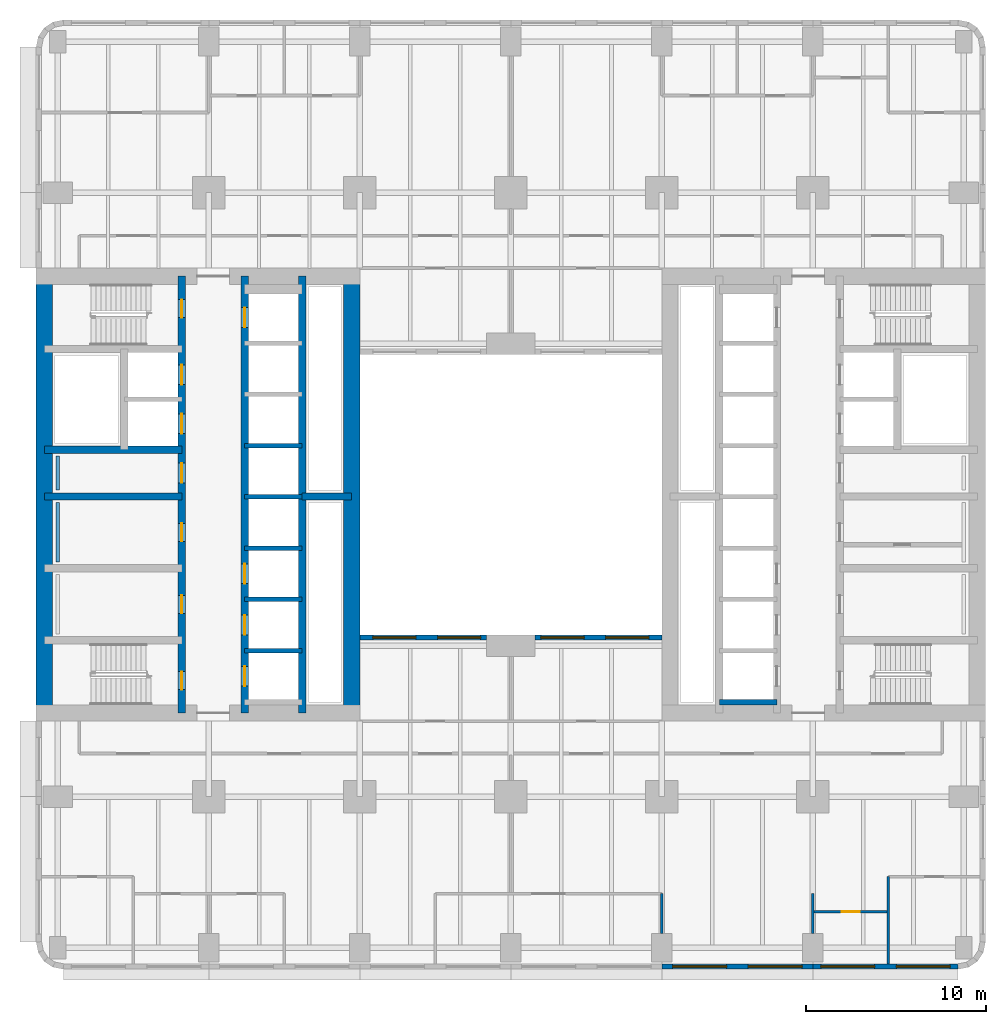
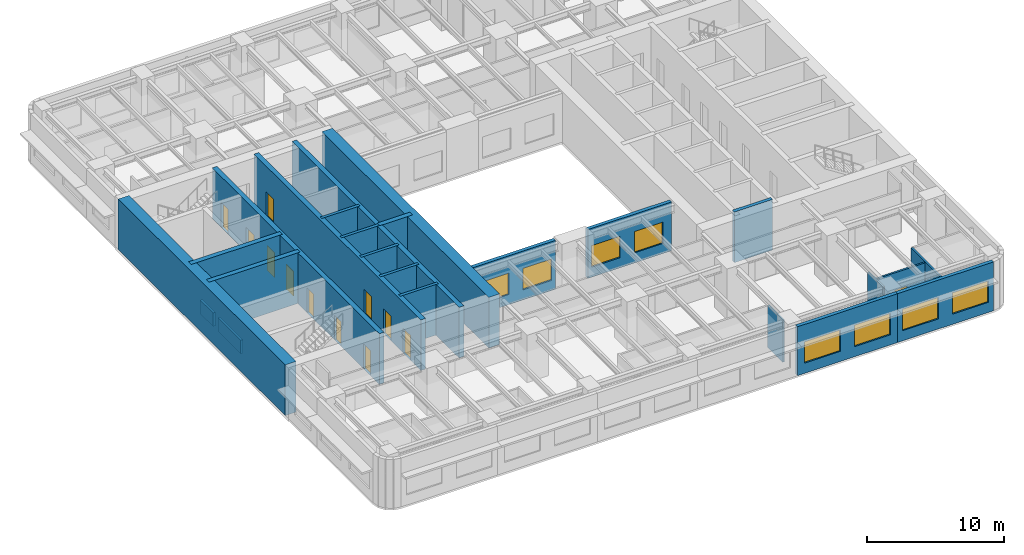
# One storey, part 4 of 12: 24 walls, 12 doors, 8 windows, 20 openings.
"""IFC4 building model written with IfcOpenShell, lengths in metres."""

import ifcopenshell
import ifcopenshell.guid

model = None  # the IFC model being written
_history = None  # IfcOwnerHistory: only IFC2X3 demands one
_inside = {}  # id of a spatial element -> (the spatial element, [elements in it])
_under = {}  # id of a project, library or spatial element -> (it, [spatial elements below it])
_declared = {}  # id of a project -> (the project, [libraries it declares])
_typed = {}  # id of a type object -> (the type object, [elements of that type])
_made_of = {}  # id of a material, layer set ... -> (it, [elements and type objects made of it])


def new_model(schema):
    """Start an empty IFC model of exactly this schema.

    Asked for "IFC4X3", IfcOpenShell would pick the latest addendum, in which some entities
    have other attributes; the version numbers below select the first issue.
    IFC2X3 requires an IfcOwnerHistory on every rooted entity: one is made here for all.
    """
    global model, _history
    if schema == "IFC4X3":
        model = ifcopenshell.file(schema_version=(4, 3, 0, 0))
    else:
        model = ifcopenshell.file(schema=schema)
    _inside.clear()
    _under.clear()
    _declared.clear()
    _typed.clear()
    _made_of.clear()
    _history = None
    if model.schema == "IFC2X3":
        org = make("IfcOrganization", Name="unknown")
        user = make(
            "IfcPersonAndOrganization",
            ThePerson=make("IfcPerson", FamilyName="unknown"),
            TheOrganization=org,
        )
        app = make(
            "IfcApplication",
            ApplicationDeveloper=org,
            Version="unknown",
            ApplicationFullName="unknown",
            ApplicationIdentifier="unknown",
        )
        _history = make(
            "IfcOwnerHistory",
            OwningUser=user,
            OwningApplication=app,
            ChangeAction="ADDED",
            CreationDate=0,
        )
    return model


def make(cls, **values):
    """One entity of the class cls with the attributes given. An attribute that is None is left unset."""
    return model.create_entity(
        cls, **{name: value for name, value in values.items() if value is not None}
    )


def rooted(cls, **values):
    """An entity with a GlobalId (a new one), such as an element, a storey or a relation."""
    return make(cls, GlobalId=ifcopenshell.guid.new(), OwnerHistory=_history, **values)


def si_unit(unit_type, name, prefix=None):
    """IfcSIUnit, for example si_unit("LENGTHUNIT", "METRE", prefix="MILLI")."""
    return make("IfcSIUnit", UnitType=unit_type, Prefix=prefix, Name=name)


def assignment(units):
    """IfcUnitAssignment: the units of a project."""
    return None if units is None else make("IfcUnitAssignment", Units=units)


def point(xyz):
    """IfcCartesianPoint."""
    return None if xyz is None else make("IfcCartesianPoint", Coordinates=xyz)


def direction(xyz):
    """IfcDirection."""
    return None if xyz is None else make("IfcDirection", DirectionRatios=xyz)


def frame(location, z_axis=None, x_axis=None):
    """IfcAxis2Placement3D, a coordinate frame: its origin and axes. An axis left out is left unset."""
    return make(
        "IfcAxis2Placement3D",
        Location=point(location),
        Axis=direction(z_axis),
        RefDirection=direction(x_axis),
    )


def frame_2d(location, x_axis=None):
    """IfcAxis2Placement2D, a coordinate frame in the plane: its origin and x axis."""
    return make(
        "IfcAxis2Placement2D", Location=point(location), RefDirection=direction(x_axis)
    )


def origin():
    """The frame at (0, 0, 0) with its axes left unset."""
    return frame((0.0, 0.0, 0.0))


def place(relative_to, where):
    """IfcLocalPlacement: puts the frame where relative to a parent placement (None: the world)."""
    return make(
        "IfcLocalPlacement", PlacementRelTo=relative_to, RelativePlacement=where
    )


def context(
    kind, dimensions, precision=None, world=None, true_north=None, identifier=None
):
    """IfcGeometricRepresentationContext, for example the 3D "Model" context."""
    return make(
        "IfcGeometricRepresentationContext",
        ContextIdentifier=identifier,
        ContextType=kind,
        CoordinateSpaceDimension=dimensions,
        Precision=precision,
        WorldCoordinateSystem=world,
        TrueNorth=true_north,
    )


def subcontext(parent, identifier, kind, view, scale=None):
    """IfcGeometricRepresentationSubContext, for example "Body" below "Model"."""
    return make(
        "IfcGeometricRepresentationSubContext",
        ContextIdentifier=identifier,
        ContextType=kind,
        ParentContext=parent,
        TargetScale=scale,
        TargetView=view,
    )


def project(units=None, contexts=None):
    """IfcProject with its units and contexts."""
    return rooted(
        "IfcProject",
        Name="project",
        RepresentationContexts=contexts,
        UnitsInContext=assignment(units),
    )


def spatial(cls, under=None, at=None, **own):
    """A site, building, storey or space (cls), placed at a placement, below another one or the project."""
    s = rooted(cls, ObjectPlacement=at, **own)
    if under is not None:
        _under.setdefault(under.id(), (under, []))[1].append(s)
    return s


def profile(cls, at=None, kind="AREA", **sizes):
    """A parametric profile (cls). Its sizes go by their IFC names, for example OverallWidth=200.0."""
    return make(cls, ProfileType=kind, Position=at, **sizes)


def rectangle(**sizes):
    """IfcRectangleProfileDef."""
    return profile("IfcRectangleProfileDef", **sizes)


def extrude(swept, where, along, depth):
    """IfcExtrudedAreaSolid: the profile swept, set in the frame where, extruded along a direction by depth."""
    return make(
        "IfcExtrudedAreaSolid",
        SweptArea=swept,
        Position=where,
        ExtrudedDirection=direction(along),
        Depth=depth,
    )


def shape(context_of_items, identifier, shape_type, items):
    """IfcShapeRepresentation: the items that make up one representation, for example the "Body"."""
    return make(
        "IfcShapeRepresentation",
        ContextOfItems=context_of_items,
        RepresentationIdentifier=identifier,
        RepresentationType=shape_type,
        Items=items,
    )


def material(Name=None, Category=None):
    """IfcMaterial."""
    return make("IfcMaterial", Name=Name, Category=Category)


def layer(
    of_material, thickness, ventilated=None, Name=None, Category=None, Priority=None
):
    """IfcMaterialLayer: one layer of a wall or slab, of a material (None: an air gap)."""
    return make(
        "IfcMaterialLayer",
        Material=of_material,
        LayerThickness=thickness,
        IsVentilated=ventilated,
        Name=Name,
        Category=Category,
        Priority=Priority,
    )


def layer_set(layers, Name=None):
    """IfcMaterialLayerSet."""
    return make("IfcMaterialLayerSet", MaterialLayers=layers, LayerSetName=Name)


def made_of(thing, what):
    """Note that an element or type object is made of a material, layer set ...; save() writes the relation."""
    if what is not None:
        _made_of.setdefault(what.id(), (what, []))[1].append(thing)
    return thing


def type_object(cls, material=None, **own):
    """A type object (cls), such as IfcWallType, which elements share."""
    return made_of(rooted(cls, **own), material)


def element(
    cls,
    number,
    at=None,
    inside=None,
    cuts=None,
    type_object=None,
    material=None,
    context=None,
    identifier="Body",
    shape_type=None,
    held_by="IfcProductDefinitionShape",
    body=None,
    shapes=None,
    **own,
):
    """One element of the class cls, such as IfcWall. Its Tag is "e" and its number.

    at: its placement. inside: the storey or other place that contains it. cuts: it is an
    opening in that element (IfcRelVoidsElement). A single representation is given by context,
    identifier, shape_type and body (its items); several are given by shapes. held_by: the class
    of the entity that holds the representations. save() writes the other relations.
    """
    e = rooted(cls, Tag="e%d" % number, ObjectPlacement=at, **own)
    if body is not None:
        shapes = [shape(context, identifier, shape_type, body)]
    if shapes is not None:
        e.Representation = make(held_by, Representations=shapes)
    if inside is not None:
        _inside.setdefault(inside.id(), (inside, []))[1].append(e)
    if cuts is not None:
        rooted(
            "IfcRelVoidsElement", RelatingBuildingElement=cuts, RelatedOpeningElement=e
        )
    if type_object is not None:
        _typed.setdefault(type_object.id(), (type_object, []))[1].append(e)
    return made_of(e, material)


def fill(opening, filler):
    """IfcRelFillsElement: the door or window that sits in an opening."""
    return rooted(
        "IfcRelFillsElement",
        RelatingOpeningElement=opening,
        RelatedBuildingElement=filler,
    )


def aggregate(whole, parts):
    """IfcRelAggregates: a whole, such as a stair, and the parts it consists of."""
    return rooted("IfcRelAggregates", RelatingObject=whole, RelatedObjects=parts)


def save(model, path):
    """Write the relations noted so far, then the file.

    IfcRelAggregates (storeys below a building ...), IfcRelContainedInSpatialStructure (elements
    in a storey), IfcRelDefinesByType, IfcRelAssociatesMaterial and IfcRelDeclares: one each for
    every whole, place, type object, material and project.
    """
    for whole, parts in _under.values():
        aggregate(whole, parts)
    for where, things in _inside.values():
        rooted(
            "IfcRelContainedInSpatialStructure",
            RelatedElements=things,
            RelatingStructure=where,
        )
    for kind, things in _typed.values():
        rooted("IfcRelDefinesByType", RelatedObjects=things, RelatingType=kind)
    for what, things in _made_of.values():
        rooted("IfcRelAssociatesMaterial", RelatedObjects=things, RelatingMaterial=what)
    for by, libraries in _declared.values():
        rooted("IfcRelDeclares", RelatingContext=by, RelatedDefinitions=libraries)
    model.write(path)


model = new_model("IFC4")

# Units and contexts
model_context = context("Model", 3, precision=1e-05, world=origin(), true_north=direction((0.0, 1.0)))
body_context = subcontext(model_context, "Body", "Model", "MODEL_VIEW")
ifc_project = project(units=[si_unit("LENGTHUNIT", "METRE"), si_unit("AREAUNIT", "SQUARE_METRE"), si_unit("VOLUMEUNIT", "CUBIC_METRE"), si_unit("PLANEANGLEUNIT", "RADIAN"), si_unit("MASSUNIT", "GRAM", prefix="KILO")], contexts=[model_context])

# Site, building, storey
site_placement = place(None, origin())
site = spatial("IfcSite", under=ifc_project, at=site_placement, CompositionType="ELEMENT")
building_placement = place(site_placement, origin())
building = spatial("IfcBuilding", under=site, at=building_placement, Name="Claustro Exchange Tower", CompositionType="ELEMENT")
storey_placement = place(building_placement, frame((0.0, 0.0, 45.89990234375)))
storey = spatial("IfcBuildingStorey", under=building, at=storey_placement, Name="L10", CompositionType="ELEMENT", Elevation=45.89990234375)

# Wall
ifc_material_1 = material(Name="Gypsum board on steel studs", Category="steel")
ifc_layer_1 = layer(ifc_material_1, 0.14990234375)
ifc_layer_set_1 = layer_set([ifc_layer_1], Name="Gypsum board on steel studs")
wall_type_1 = type_object("IfcWallType", Name="P1 150 plasterboard partition", PredefinedType="PARTITIONING", material=ifc_layer_set_1)
wall_1_placement = place(storey_placement, frame((33.60009765625, 0.799072265625, 0.0), z_axis=(0.0, 0.0, 1.0), x_axis=(0.0, 1.0, 0.0)))
element("IfcWall", 1, at=wall_1_placement, inside=storey, type_object=wall_type_1, Name="Partition P1 L10", PredefinedType="PARTITIONING", context=body_context, shape_type="SweptSolid", body=[
    extrude(rectangle(XDim=2.200927734375, YDim=0.14990234375, at=frame_2d((1.1005859375, 0.0))), origin(), (0.0, 0.0, 1.0), 3.739990234375),
])

# Wall, opening, door
wall_2_placement = place(storey_placement, frame((42.073974609375, 2.0, 0.0), z_axis=(0.0, 0.0, 1.0), x_axis=(1.0, 0.0, 0.0)))
wall_2 = element("IfcWall", 2, at=wall_2_placement, inside=storey, type_object=wall_type_1, Name="Partition P1 L10", PredefinedType="PARTITIONING", context=body_context, shape_type="SweptSolid", body=[
    extrude(rectangle(XDim=4.052001953125, YDim=0.14990234375, at=frame_2d((2.02587890625, 0.0))), origin(), (0.0, 0.0, 1.0), 3.739990234375),
])
opening_1_placement = place(wall_2_placement, frame((1.52587890625, 0.0, 0.0)))
opening_1 = element("IfcOpeningElement", 3, at=opening_1_placement, cuts=wall_2, Name="Opening D1", PredefinedType="OPENING", context=body_context, shape_type="SweptSolid", body=[
    extrude(rectangle(XDim=1.0, YDim=2.199951171875, at=frame_2d((0.5, 1.10009765625))), frame((0.0, 0.0849609375, 0.0), z_axis=(0.0, -1.0, 0.0), x_axis=(1.0, 0.0, 0.0)), (0.0, 0.0, 1.0), 0.169921875),
])
ifc_material_2 = material(Name="Timber door, oak veneer", Category="wood")
door_type_1 = type_object("IfcDoorType", Name="D1 1000 x 2200 single door", OperationType="SINGLE_SWING_LEFT", PredefinedType="DOOR", material=ifc_material_2)
door_1_placement = place(opening_1_placement, frame((1.0, 0.0, 0.0), z_axis=(0.0, 0.0, 1.0), x_axis=(-1.0, 0.0, 0.0)))
door_1 = element("IfcDoor", 4, at=door_1_placement, inside=storey, type_object=door_type_1, Name="Door D1 L10", OperationType="SINGLE_SWING_RIGHT", OverallHeight=2.199951171875, OverallWidth=1.0, PredefinedType="DOOR", context=body_context, shape_type="SweptSolid", body=[
    extrude(rectangle(XDim=1.0, YDim=2.199951171875, at=frame_2d((0.5, 1.10009765625))), frame((0.0, 0.02490234375, 0.0), z_axis=(0.0, -1.0, 0.0), x_axis=(1.0, 0.0, 0.0)), (0.0, 0.0, 1.0), 0.050048828125),
])
fill(opening_1, door_1)

# Walls
wall_3_placement = place(storey_placement, frame((42.0, 0.799072265625, 0.0), z_axis=(0.0, 0.0, 1.0), x_axis=(0.0, 1.0, 0.0)))
element("IfcWall", 5, at=wall_3_placement, inside=storey, type_object=wall_type_1, Name="Partition P1 L10", PredefinedType="PARTITIONING", context=body_context, shape_type="SweptSolid", body=[
    extrude(rectangle(XDim=2.200927734375, YDim=0.14990234375, at=frame_2d((1.1005859375, 0.0))), origin(), (0.0, 0.0, 1.0), 3.739990234375),
])
wall_4_placement = place(storey_placement, frame((46.199951171875, -0.902099609375, 0.0), z_axis=(0.0, 0.0, 1.0), x_axis=(0.0, 1.0, 0.0)))
element("IfcWall", 6, at=wall_4_placement, inside=storey, type_object=wall_type_1, Name="Partition P1 L10", PredefinedType="PARTITIONING", context=body_context, shape_type="SweptSolid", body=[
    extrude(rectangle(XDim=4.85205078125, YDim=0.14990234375, at=frame_2d((2.426025390625, 0.0))), origin(), (0.0, 0.0, 1.0), 3.840087890625),
])

# Wall, openings, windows
ifc_material_3 = material(Name="Concrete HA-40 (C40/50), precast, white cement, acid-etched", Category="concrete")
ifc_layer_2 = layer(ifc_material_3, 0.300048828125)
ifc_layer_set_2 = layer_set([ifc_layer_2], Name="Concrete HA-40 (C40/50), precast, white cement, acid-etched")
wall_type_2 = type_object("IfcWallType", Name="PC1 300 precast concrete pier panel", PredefinedType="SOLIDWALL", material=ifc_layer_set_2)
wall_5_placement = place(storey_placement, frame((50.085205078125, -1.050048828125, 0.0), z_axis=(0.0, 0.0, 1.0), x_axis=(-1.0, 0.0, 0.0)))
wall_5 = element("IfcWall", 7, at=wall_5_placement, inside=storey, type_object=wall_type_2, Name="Precast pier panel PC1 L10", PredefinedType="SOLIDWALL", context=body_context, shape_type="SweptSolid", body=[
    extrude(rectangle(XDim=8.085205078125, YDim=0.300048828125, at=frame_2d((4.04248046875, 0.0))), origin(), (0.0, 0.0, 1.0), 4.340087890625),
])
opening_2_placement = place(wall_5_placement, frame((0.442626953125, 0.0, 0.89990234375)))
opening_2 = element("IfcOpeningElement", 8, at=opening_2_placement, cuts=wall_5, Name="Opening W1", PredefinedType="OPENING", context=body_context, shape_type="SweptSolid", body=[
    extrude(rectangle(XDim=3.0, YDim=1.89990234375, at=frame_2d((1.5, 0.949951171875))), frame((0.0, 0.159912109375, 0.0), z_axis=(0.0, -1.0, 0.0), x_axis=(1.0, 0.0, 0.0)), (0.0, 0.0, 1.0), 0.320068359375),
])
opening_3_placement = place(wall_5_placement, frame((4.642578125, 0.0, 0.89990234375)))
opening_3 = element("IfcOpeningElement", 9, at=opening_3_placement, cuts=wall_5, Name="Opening W1", PredefinedType="OPENING", context=body_context, shape_type="SweptSolid", body=[
    extrude(rectangle(XDim=3.0, YDim=1.89990234375, at=frame_2d((1.5, 0.949951171875))), frame((0.0, 0.159912109375, 0.0), z_axis=(0.0, -1.0, 0.0), x_axis=(1.0, 0.0, 0.0)), (0.0, 0.0, 1.0), 0.320068359375),
])
ifc_material_4 = material(Name="Aluminium frame, clear double glazing", Category="aluminium")
window_type_1 = type_object("IfcWindowType", Name="W1 3000 x 1900 window", PartitioningType="SINGLE_PANEL", PredefinedType="WINDOW", material=ifc_material_4)
window_1_placement = place(opening_2_placement, origin())
window_1 = element("IfcWindow", 10, at=window_1_placement, inside=storey, type_object=window_type_1, Name="Window W1 L10", OverallHeight=1.89990234375, OverallWidth=3.0, PartitioningType="SINGLE_PANEL", PredefinedType="WINDOW", context=body_context, shape_type="SweptSolid", body=[
    extrude(rectangle(XDim=3.0, YDim=1.89990234375, at=frame_2d((1.5, 0.949951171875))), frame((0.0, 0.030029296875, 0.0), z_axis=(0.0, -1.0, 0.0), x_axis=(1.0, 0.0, 0.0)), (0.0, 0.0, 1.0), 0.06005859375),
])
fill(opening_2, window_1)
window_2_placement = place(opening_3_placement, origin())
window_2 = element("IfcWindow", 11, at=window_2_placement, inside=storey, type_object=window_type_1, Name="Window W1 L10", OverallHeight=1.89990234375, OverallWidth=3.0, PartitioningType="SINGLE_PANEL", PredefinedType="WINDOW", context=body_context, shape_type="SweptSolid", body=[
    extrude(rectangle(XDim=3.0, YDim=1.89990234375, at=frame_2d((1.5, 0.949951171875))), frame((0.0, 0.030029296875, 0.0), z_axis=(0.0, -1.0, 0.0), x_axis=(1.0, 0.0, 0.0)), (0.0, 0.0, 1.0), 0.06005859375),
])
fill(opening_3, window_2)

wall_6_placement = place(storey_placement, frame((42.0, -1.050048828125, 0.0), z_axis=(0.0, 0.0, 1.0), x_axis=(-1.0, 0.0, 0.0)))
wall_6 = element("IfcWall", 12, at=wall_6_placement, inside=storey, type_object=wall_type_2, Name="Precast pier panel PC1 L10", PredefinedType="SOLIDWALL", context=body_context, shape_type="SweptSolid", body=[
    extrude(rectangle(XDim=8.39990234375, YDim=0.300048828125, at=frame_2d((4.199951171875, 0.0))), origin(), (0.0, 0.0, 1.0), 4.340087890625),
])
opening_4_placement = place(wall_6_placement, frame((0.60009765625, 0.0, 0.89990234375)))
opening_4 = element("IfcOpeningElement", 13, at=opening_4_placement, cuts=wall_6, Name="Opening W1", PredefinedType="OPENING", context=body_context, shape_type="SweptSolid", body=[
    extrude(rectangle(XDim=3.0, YDim=1.89990234375, at=frame_2d((1.5, 0.949951171875))), frame((0.0, 0.159912109375, 0.0), z_axis=(0.0, -1.0, 0.0), x_axis=(1.0, 0.0, 0.0)), (0.0, 0.0, 1.0), 0.320068359375),
])
opening_5_placement = place(wall_6_placement, frame((4.800048828125, 0.0, 0.89990234375)))
opening_5 = element("IfcOpeningElement", 14, at=opening_5_placement, cuts=wall_6, Name="Opening W1", PredefinedType="OPENING", context=body_context, shape_type="SweptSolid", body=[
    extrude(rectangle(XDim=3.0, YDim=1.89990234375, at=frame_2d((1.5, 0.949951171875))), frame((0.0, 0.159912109375, 0.0), z_axis=(0.0, -1.0, 0.0), x_axis=(1.0, 0.0, 0.0)), (0.0, 0.0, 1.0), 0.320068359375),
])
window_3_placement = place(opening_4_placement, origin())
window_3 = element("IfcWindow", 15, at=window_3_placement, inside=storey, type_object=window_type_1, Name="Window W1 L10", OverallHeight=1.89990234375, OverallWidth=3.0, PartitioningType="SINGLE_PANEL", PredefinedType="WINDOW", context=body_context, shape_type="SweptSolid", body=[
    extrude(rectangle(XDim=3.0, YDim=1.89990234375, at=frame_2d((1.5, 0.949951171875))), frame((0.0, 0.030029296875, 0.0), z_axis=(0.0, -1.0, 0.0), x_axis=(1.0, 0.0, 0.0)), (0.0, 0.0, 1.0), 0.06005859375),
])
fill(opening_4, window_3)
window_4_placement = place(opening_5_placement, origin())
window_4 = element("IfcWindow", 16, at=window_4_placement, inside=storey, type_object=window_type_1, Name="Window W1 L10", OverallHeight=1.89990234375, OverallWidth=3.0, PartitioningType="SINGLE_PANEL", PredefinedType="WINDOW", context=body_context, shape_type="SweptSolid", body=[
    extrude(rectangle(XDim=3.0, YDim=1.89990234375, at=frame_2d((1.5, 0.949951171875))), frame((0.0, 0.030029296875, 0.0), z_axis=(0.0, -1.0, 0.0), x_axis=(1.0, 0.0, 0.0)), (0.0, 0.0, 1.0), 0.06005859375),
])
fill(opening_5, window_4)

wall_7_placement = place(storey_placement, frame((16.800048828125, 17.25, 0.0), z_axis=(0.0, 0.0, 1.0), x_axis=(1.0, 0.0, 0.0)))
wall_7 = element("IfcWall", 17, at=wall_7_placement, inside=storey, type_object=wall_type_2, Name="Precast pier panel PC1 L10", PredefinedType="SOLIDWALL", context=body_context, shape_type="SweptSolid", body=[
    extrude(rectangle(XDim=7.050048828125, YDim=0.300048828125, at=frame_2d((3.52490234375, 0.0))), origin(), (0.0, 0.0, 1.0), 4.340087890625),
])
opening_6_placement = place(wall_7_placement, frame((0.72509765625, 0.0, 0.89990234375)))
opening_6 = element("IfcOpeningElement", 18, at=opening_6_placement, cuts=wall_7, Name="Opening W2", PredefinedType="OPENING", context=body_context, shape_type="SweptSolid", body=[
    extrude(rectangle(XDim=2.39990234375, YDim=1.89990234375, at=frame_2d((1.199951171875, 0.949951171875))), frame((0.0, 0.159912109375, 0.0), z_axis=(0.0, -1.0, 0.0), x_axis=(1.0, 0.0, 0.0)), (0.0, 0.0, 1.0), 0.320068359375),
])
opening_7_placement = place(wall_7_placement, frame((4.324951171875, 0.0, 0.89990234375)))
opening_7 = element("IfcOpeningElement", 19, at=opening_7_placement, cuts=wall_7, Name="Opening W2", PredefinedType="OPENING", context=body_context, shape_type="SweptSolid", body=[
    extrude(rectangle(XDim=2.39990234375, YDim=1.89990234375, at=frame_2d((1.199951171875, 0.949951171875))), frame((0.0, 0.159912109375, 0.0), z_axis=(0.0, -1.0, 0.0), x_axis=(1.0, 0.0, 0.0)), (0.0, 0.0, 1.0), 0.320068359375),
])
ifc_material_5 = material(Name="Aluminium frame, clear double glazing", Category="aluminium")
window_type_2 = type_object("IfcWindowType", Name="W2 2400 x 1900 window", PartitioningType="SINGLE_PANEL", PredefinedType="WINDOW", material=ifc_material_5)
window_5_placement = place(opening_6_placement, origin())
window_5 = element("IfcWindow", 20, at=window_5_placement, inside=storey, type_object=window_type_2, Name="Window W2 L10", OverallHeight=1.89990234375, OverallWidth=2.39990234375, PartitioningType="SINGLE_PANEL", PredefinedType="WINDOW", context=body_context, shape_type="SweptSolid", body=[
    extrude(rectangle(XDim=2.39990234375, YDim=1.89990234375, at=frame_2d((1.199951171875, 0.949951171875))), frame((0.0, 0.030029296875, 0.0), z_axis=(0.0, -1.0, 0.0), x_axis=(1.0, 0.0, 0.0)), (0.0, 0.0, 1.0), 0.06005859375),
])
fill(opening_6, window_5)
window_6_placement = place(opening_7_placement, origin())
window_6 = element("IfcWindow", 21, at=window_6_placement, inside=storey, type_object=window_type_2, Name="Window W2 L10", OverallHeight=1.89990234375, OverallWidth=2.39990234375, PartitioningType="SINGLE_PANEL", PredefinedType="WINDOW", context=body_context, shape_type="SweptSolid", body=[
    extrude(rectangle(XDim=2.39990234375, YDim=1.89990234375, at=frame_2d((1.199951171875, 0.949951171875))), frame((0.0, 0.030029296875, 0.0), z_axis=(0.0, -1.0, 0.0), x_axis=(1.0, 0.0, 0.0)), (0.0, 0.0, 1.0), 0.06005859375),
])
fill(opening_7, window_6)

wall_8_placement = place(storey_placement, frame((26.550048828125, 17.25, 0.0), z_axis=(0.0, 0.0, 1.0), x_axis=(1.0, 0.0, 0.0)))
wall_8 = element("IfcWall", 22, at=wall_8_placement, inside=storey, type_object=wall_type_2, Name="Precast pier panel PC1 L10", PredefinedType="SOLIDWALL", context=body_context, shape_type="SweptSolid", body=[
    extrude(rectangle(XDim=7.050048828125, YDim=0.300048828125, at=frame_2d((3.52490234375, 0.0))), origin(), (0.0, 0.0, 1.0), 4.340087890625),
])
opening_8_placement = place(wall_8_placement, frame((0.324951171875, 0.0, 0.89990234375)))
opening_8 = element("IfcOpeningElement", 23, at=opening_8_placement, cuts=wall_8, Name="Opening W2", PredefinedType="OPENING", context=body_context, shape_type="SweptSolid", body=[
    extrude(rectangle(XDim=2.39990234375, YDim=1.89990234375, at=frame_2d((1.199951171875, 0.949951171875))), frame((0.0, 0.159912109375, 0.0), z_axis=(0.0, -1.0, 0.0), x_axis=(1.0, 0.0, 0.0)), (0.0, 0.0, 1.0), 0.320068359375),
])
opening_9_placement = place(wall_8_placement, frame((3.925048828125, 0.0, 0.89990234375)))
opening_9 = element("IfcOpeningElement", 24, at=opening_9_placement, cuts=wall_8, Name="Opening W2", PredefinedType="OPENING", context=body_context, shape_type="SweptSolid", body=[
    extrude(rectangle(XDim=2.39990234375, YDim=1.89990234375, at=frame_2d((1.199951171875, 0.949951171875))), frame((0.0, 0.159912109375, 0.0), z_axis=(0.0, -1.0, 0.0), x_axis=(1.0, 0.0, 0.0)), (0.0, 0.0, 1.0), 0.320068359375),
])
window_7_placement = place(opening_8_placement, origin())
window_7 = element("IfcWindow", 25, at=window_7_placement, inside=storey, type_object=window_type_2, Name="Window W2 L10", OverallHeight=1.89990234375, OverallWidth=2.39990234375, PartitioningType="SINGLE_PANEL", PredefinedType="WINDOW", context=body_context, shape_type="SweptSolid", body=[
    extrude(rectangle(XDim=2.39990234375, YDim=1.89990234375, at=frame_2d((1.199951171875, 0.949951171875))), frame((0.0, 0.030029296875, 0.0), z_axis=(0.0, -1.0, 0.0), x_axis=(1.0, 0.0, 0.0)), (0.0, 0.0, 1.0), 0.06005859375),
])
fill(opening_8, window_7)
window_8_placement = place(opening_9_placement, origin())
window_8 = element("IfcWindow", 26, at=window_8_placement, inside=storey, type_object=window_type_2, Name="Window W2 L10", OverallHeight=1.89990234375, OverallWidth=2.39990234375, PartitioningType="SINGLE_PANEL", PredefinedType="WINDOW", context=body_context, shape_type="SweptSolid", body=[
    extrude(rectangle(XDim=2.39990234375, YDim=1.89990234375, at=frame_2d((1.199951171875, 0.949951171875))), frame((0.0, 0.030029296875, 0.0), z_axis=(0.0, -1.0, 0.0), x_axis=(1.0, 0.0, 0.0)), (0.0, 0.0, 1.0), 0.06005859375),
])
fill(opening_9, window_8)

# Walls
ifc_material_6 = material(Name="Gypsum board on steel studs, tiled", Category="steel")
ifc_layer_3 = layer(ifc_material_6, 0.199951171875)
ifc_layer_set_3 = layer_set([ifc_layer_3], Name="Gypsum board on steel studs, tiled")
wall_type_3 = type_object("IfcWallType", Name="PW1 200 WC duct wall", PredefinedType="PLUMBINGWALL", material=ifc_layer_set_3)
wall_9_placement = place(storey_placement, frame((0.0, 21.449951171875, 0.0), z_axis=(0.0, 0.0, 1.0), x_axis=(0.0, 1.0, 0.0)))
element("IfcWall", 27, at=wall_9_placement, inside=storey, type_object=wall_type_3, Name="WC duct wall PW1 L10", PredefinedType="PLUMBINGWALL", context=body_context, shape_type="SweptSolid", body=[
    extrude(rectangle(XDim=3.300048828125, YDim=0.199951171875, at=frame_2d((1.64990234375, 0.0))), origin(), (0.0, 0.0, 1.0), 1.2001953125),
])
wall_10_placement = place(storey_placement, frame((0.0, 25.449951171875, 0.0), z_axis=(0.0, 0.0, 1.0), x_axis=(0.0, 1.0, 0.0)))
element("IfcWall", 28, at=wall_10_placement, inside=storey, type_object=wall_type_3, Name="WC duct wall PW1 L10", PredefinedType="PLUMBINGWALL", context=body_context, shape_type="SweptSolid", body=[
    extrude(rectangle(XDim=1.900146484375, YDim=0.199951171875, at=frame_2d((0.9501953125, 0.0))), origin(), (0.0, 0.0, 1.0), 1.2001953125),
])
ifc_material_7 = material(Name="Concrete HA-70 (C70/85)", Category="concrete")
ifc_layer_4 = layer(ifc_material_7, 0.89990234375)
ifc_layer_set_4 = layer_set([ifc_layer_4], Name="Concrete HA-70 (C70/85)")
wall_type_4 = type_object("IfcWallType", Name="SW1X 900 exposed core shear wall, board-marked face", PredefinedType="SHEAR", material=ifc_layer_set_4)
for number, where, z_axis, x_axis, name in (
    (29, (-0.75, 13.050048828125, 0.0), (0.0, 0.0, 1.0), (0.0, 1.0, 0.0), "Core wall SW1X W core W face L10"),
    (30, (16.35009765625, 13.050048828125, 0.0), (0.0, 0.0, 1.0), (0.0, 1.0, 0.0), "Core wall SW1X W core E face L10"),
):
    element("IfcWall", number, at=place(storey_placement, frame(where, z_axis=z_axis, x_axis=x_axis)), inside=storey, type_object=wall_type_4, Name=name, PredefinedType="SHEAR", context=body_context, shape_type="SweptSolid", body=[
        extrude(rectangle(XDim=24.300048828125, YDim=0.89990234375, at=frame_2d((12.14990234375, 0.0))), origin(), (0.0, 0.0, 1.0), 4.5),
    ])

# Wall, openings, doors
ifc_material_8 = material(Name="Concrete HA-50 (C50/60)", Category="concrete")
ifc_layer_5 = layer(ifc_material_8, 0.39990234375)
ifc_layer_set_5 = layer_set([ifc_layer_5], Name="Concrete HA-50 (C50/60)")
wall_type_5 = type_object("IfcWallType", Name="SW4 400 internal core wall", PredefinedType="SHEAR", material=ifc_layer_set_5)
wall_11_placement = place(storey_placement, frame((6.89990234375, 13.050048828125, 0.0), z_axis=(0.0, 0.0, 1.0), x_axis=(0.0, 1.0, 0.0)))
wall_11 = element("IfcWall", 31, at=wall_11_placement, inside=storey, type_object=wall_type_5, Name="Internal core wall SW4 W core L10", PredefinedType="SHEAR", context=body_context, shape_type="SweptSolid", body=[
    extrude(rectangle(XDim=24.300048828125, YDim=0.39990234375, at=frame_2d((12.14990234375, 0.0))), origin(), (0.0, 0.0, 1.0), 4.5),
])
opening_10_placement = place(wall_11_placement, frame((1.300048828125, 0.0, 0.0)))
opening_10 = element("IfcOpeningElement", 32, at=opening_10_placement, cuts=wall_11, Name="Opening D4", PredefinedType="OPENING", context=body_context, shape_type="SweptSolid", body=[
    extrude(rectangle(XDim=1.0, YDim=2.199951171875, at=frame_2d((0.5, 1.10009765625))), frame((0.0, 0.2099609375, 0.0), z_axis=(0.0, -1.0, 0.0), x_axis=(1.0, 0.0, 0.0)), (0.0, 0.0, 1.0), 0.419921875),
])
opening_11_placement = place(wall_11_placement, frame((22.0, 0.0, 0.0)))
opening_11 = element("IfcOpeningElement", 33, at=opening_11_placement, cuts=wall_11, Name="Opening D4", PredefinedType="OPENING", context=body_context, shape_type="SweptSolid", body=[
    extrude(rectangle(XDim=1.0, YDim=2.199951171875, at=frame_2d((0.5, 1.10009765625))), frame((0.0, 0.2099609375, 0.0), z_axis=(0.0, -1.0, 0.0), x_axis=(1.0, 0.0, 0.0)), (0.0, 0.0, 1.0), 0.419921875),
])
opening_12_placement = place(wall_11_placement, frame((5.550048828125, 0.0, 0.0)))
opening_12 = element("IfcOpeningElement", 34, at=opening_12_placement, cuts=wall_11, Name="Opening D1", PredefinedType="OPENING", context=body_context, shape_type="SweptSolid", body=[
    extrude(rectangle(XDim=1.0, YDim=2.199951171875, at=frame_2d((0.5, 1.10009765625))), frame((0.0, 0.2099609375, 0.0), z_axis=(0.0, -1.0, 0.0), x_axis=(1.0, 0.0, 0.0)), (0.0, 0.0, 1.0), 0.419921875),
])
opening_13_placement = place(wall_11_placement, frame((9.550048828125, 0.0, 0.0)))
opening_13 = element("IfcOpeningElement", 35, at=opening_13_placement, cuts=wall_11, Name="Opening D1", PredefinedType="OPENING", context=body_context, shape_type="SweptSolid", body=[
    extrude(rectangle(XDim=1.0, YDim=2.199951171875, at=frame_2d((0.5, 1.10009765625))), frame((0.0, 0.2099609375, 0.0), z_axis=(0.0, -1.0, 0.0), x_axis=(1.0, 0.0, 0.0)), (0.0, 0.0, 1.0), 0.419921875),
])
opening_14_placement = place(wall_11_placement, frame((12.800048828125, 0.0, 0.0)))
opening_14 = element("IfcOpeningElement", 36, at=opening_14_placement, cuts=wall_11, Name="Opening D10", PredefinedType="OPENING", context=body_context, shape_type="SweptSolid", body=[
    extrude(rectangle(XDim=1.10009765625, YDim=2.199951171875, at=frame_2d((0.550048828125, 1.10009765625))), frame((0.0, 0.2099609375, 0.0), z_axis=(0.0, -1.0, 0.0), x_axis=(1.0, 0.0, 0.0)), (0.0, 0.0, 1.0), 0.419921875),
])
opening_15_placement = place(wall_11_placement, frame((15.53759765625, 0.0, 0.0)))
opening_15 = element("IfcOpeningElement", 37, at=opening_15_placement, cuts=wall_11, Name="Opening LD", PredefinedType="OPENING", context=body_context, shape_type="SweptSolid", body=[
    extrude(rectangle(XDim=1.10009765625, YDim=2.199951171875, at=frame_2d((0.550048828125, 1.10009765625))), frame((0.0, 0.2099609375, 0.0), z_axis=(0.0, -1.0, 0.0), x_axis=(1.0, 0.0, 0.0)), (0.0, 0.0, 1.0), 0.419921875),
])
opening_16_placement = place(wall_11_placement, frame((18.262451171875, 0.0, 0.0)))
opening_16 = element("IfcOpeningElement", 38, at=opening_16_placement, cuts=wall_11, Name="Opening LD", PredefinedType="OPENING", context=body_context, shape_type="SweptSolid", body=[
    extrude(rectangle(XDim=1.10009765625, YDim=2.199951171875, at=frame_2d((0.550048828125, 1.10009765625))), frame((0.0, 0.2099609375, 0.0), z_axis=(0.0, -1.0, 0.0), x_axis=(1.0, 0.0, 0.0)), (0.0, 0.0, 1.0), 0.419921875),
])
door_2_placement = place(opening_12_placement, origin())
door_2 = element("IfcDoor", 39, at=door_2_placement, inside=storey, type_object=door_type_1, Name="Door D1 L10", OperationType="SINGLE_SWING_RIGHT", OverallHeight=2.199951171875, OverallWidth=1.0, PredefinedType="DOOR", context=body_context, shape_type="SweptSolid", body=[
    extrude(rectangle(XDim=1.0, YDim=2.199951171875, at=frame_2d((0.5, 1.10009765625))), frame((0.0, 0.02490234375, 0.0), z_axis=(0.0, -1.0, 0.0), x_axis=(1.0, 0.0, 0.0)), (0.0, 0.0, 1.0), 0.050048828125),
])
fill(opening_12, door_2)
door_3_placement = place(opening_13_placement, origin())
door_3 = element("IfcDoor", 40, at=door_3_placement, inside=storey, type_object=door_type_1, Name="Door D1 L10", OperationType="SINGLE_SWING_RIGHT", OverallHeight=2.199951171875, OverallWidth=1.0, PredefinedType="DOOR", context=body_context, shape_type="SweptSolid", body=[
    extrude(rectangle(XDim=1.0, YDim=2.199951171875, at=frame_2d((0.5, 1.10009765625))), frame((0.0, 0.02490234375, 0.0), z_axis=(0.0, -1.0, 0.0), x_axis=(1.0, 0.0, 0.0)), (0.0, 0.0, 1.0), 0.050048828125),
])
fill(opening_13, door_3)
ifc_material_9 = material(Name="Timber door, oak veneer", Category="wood")
door_type_2 = type_object("IfcDoorType", Name="D10 1100 x 2200 accessible WC door", OperationType="SINGLE_SWING_LEFT", PredefinedType="DOOR", material=ifc_material_9)
door_4_placement = place(opening_14_placement, frame((1.10009765625, 0.0, 0.0), z_axis=(0.0, 0.0, 1.0), x_axis=(-1.0, 0.0, 0.0)))
door_4 = element("IfcDoor", 41, at=door_4_placement, inside=storey, type_object=door_type_2, Name="Accessible WC door D10 L10", OperationType="SINGLE_SWING_LEFT", OverallHeight=2.199951171875, OverallWidth=1.10009765625, PredefinedType="DOOR", context=body_context, shape_type="SweptSolid", body=[
    extrude(rectangle(XDim=1.10009765625, YDim=2.199951171875, at=frame_2d((0.550048828125, 1.10009765625))), frame((0.0, 0.02490234375, 0.0), z_axis=(0.0, -1.0, 0.0), x_axis=(1.0, 0.0, 0.0)), (0.0, 0.0, 1.0), 0.050048828125),
])
fill(opening_14, door_4)
ifc_material_10 = material(Name="Steel fire door, painted", Category="steel")
door_type_3 = type_object("IfcDoorType", Name="D4 1000 x 2200 fire-rated stair door", OperationType="SINGLE_SWING_LEFT", PredefinedType="DOOR", material=ifc_material_10)
door_5_placement = place(opening_10_placement, origin())
door_5 = element("IfcDoor", 42, at=door_5_placement, inside=storey, type_object=door_type_3, Name="Stair door D4 L10", OperationType="SINGLE_SWING_LEFT", OverallHeight=2.199951171875, OverallWidth=1.0, PredefinedType="DOOR", context=body_context, shape_type="SweptSolid", body=[
    extrude(rectangle(XDim=1.0, YDim=2.199951171875, at=frame_2d((0.5, 1.10009765625))), frame((0.0, 0.02490234375, 0.0), z_axis=(0.0, -1.0, 0.0), x_axis=(1.0, 0.0, 0.0)), (0.0, 0.0, 1.0), 0.050048828125),
])
fill(opening_10, door_5)
door_6_placement = place(opening_11_placement, origin())
door_6 = element("IfcDoor", 43, at=door_6_placement, inside=storey, type_object=door_type_3, Name="Stair door D4 L10", OperationType="SINGLE_SWING_RIGHT", OverallHeight=2.199951171875, OverallWidth=1.0, PredefinedType="DOOR", context=body_context, shape_type="SweptSolid", body=[
    extrude(rectangle(XDim=1.0, YDim=2.199951171875, at=frame_2d((0.5, 1.10009765625))), frame((0.0, 0.02490234375, 0.0), z_axis=(0.0, -1.0, 0.0), x_axis=(1.0, 0.0, 0.0)), (0.0, 0.0, 1.0), 0.050048828125),
])
fill(opening_11, door_6)
ifc_material_11 = material(Name="Stainless steel sliding door", Category="steel")
door_type_4 = type_object("IfcDoorType", Name="LD 1100 x 2200 lift landing door", OperationType="DOUBLE_DOOR_SLIDING", PredefinedType="DOOR", material=ifc_material_11)
door_7_placement = place(opening_15_placement, origin())
door_7 = element("IfcDoor", 44, at=door_7_placement, inside=storey, type_object=door_type_4, Name="Lift landing door LEW1 LD L10", OperationType="DOUBLE_DOOR_SLIDING", OverallHeight=2.199951171875, OverallWidth=1.10009765625, PredefinedType="DOOR", context=body_context, shape_type="SweptSolid", body=[
    extrude(rectangle(XDim=1.10009765625, YDim=2.199951171875, at=frame_2d((0.550048828125, 1.10009765625))), frame((0.0, 0.02490234375, 0.0), z_axis=(0.0, -1.0, 0.0), x_axis=(1.0, 0.0, 0.0)), (0.0, 0.0, 1.0), 0.050048828125),
])
fill(opening_15, door_7)
door_8_placement = place(opening_16_placement, origin())
door_8 = element("IfcDoor", 45, at=door_8_placement, inside=storey, type_object=door_type_4, Name="Lift landing door LEW2 LD L10", OperationType="DOUBLE_DOOR_SLIDING", OverallHeight=2.199951171875, OverallWidth=1.10009765625, PredefinedType="DOOR", context=body_context, shape_type="SweptSolid", body=[
    extrude(rectangle(XDim=1.10009765625, YDim=2.199951171875, at=frame_2d((0.550048828125, 1.10009765625))), frame((0.0, 0.02490234375, 0.0), z_axis=(0.0, -1.0, 0.0), x_axis=(1.0, 0.0, 0.0)), (0.0, 0.0, 1.0), 0.050048828125),
])
fill(opening_16, door_8)

wall_12_placement = place(storey_placement, frame((10.39990234375, 13.050048828125, 0.0), z_axis=(0.0, 0.0, 1.0), x_axis=(0.0, 1.0, 0.0)))
wall_12 = element("IfcWall", 46, at=wall_12_placement, inside=storey, type_object=wall_type_5, Name="Internal core wall SW4 W core L10", PredefinedType="SHEAR", context=body_context, shape_type="SweptSolid", body=[
    extrude(rectangle(XDim=24.300048828125, YDim=0.39990234375, at=frame_2d((12.14990234375, 0.0))), origin(), (0.0, 0.0, 1.0), 4.5),
])
opening_17_placement = place(wall_12_placement, frame((1.5, 0.0, 0.0)))
opening_17 = element("IfcOpeningElement", 47, at=opening_17_placement, cuts=wall_12, Name="Opening LD", PredefinedType="OPENING", context=body_context, shape_type="SweptSolid", body=[
    extrude(rectangle(XDim=1.10009765625, YDim=2.199951171875, at=frame_2d((0.550048828125, 1.10009765625))), frame((0.0, 0.2099609375, 0.0), z_axis=(0.0, -1.0, 0.0), x_axis=(1.0, 0.0, 0.0)), (0.0, 0.0, 1.0), 0.419921875),
])
opening_18_placement = place(wall_12_placement, frame((4.35009765625, 0.0, 0.0)))
opening_18 = element("IfcOpeningElement", 48, at=opening_18_placement, cuts=wall_12, Name="Opening LD", PredefinedType="OPENING", context=body_context, shape_type="SweptSolid", body=[
    extrude(rectangle(XDim=1.10009765625, YDim=2.199951171875, at=frame_2d((0.550048828125, 1.10009765625))), frame((0.0, 0.2099609375, 0.0), z_axis=(0.0, -1.0, 0.0), x_axis=(1.0, 0.0, 0.0)), (0.0, 0.0, 1.0), 0.419921875),
])
opening_19_placement = place(wall_12_placement, frame((7.199951171875, 0.0, 0.0)))
opening_19 = element("IfcOpeningElement", 49, at=opening_19_placement, cuts=wall_12, Name="Opening LD", PredefinedType="OPENING", context=body_context, shape_type="SweptSolid", body=[
    extrude(rectangle(XDim=1.10009765625, YDim=2.199951171875, at=frame_2d((0.550048828125, 1.10009765625))), frame((0.0, 0.2099609375, 0.0), z_axis=(0.0, -1.0, 0.0), x_axis=(1.0, 0.0, 0.0)), (0.0, 0.0, 1.0), 0.419921875),
])
opening_20_placement = place(wall_12_placement, frame((21.449951171875, 0.0, 0.0)))
opening_20 = element("IfcOpeningElement", 50, at=opening_20_placement, cuts=wall_12, Name="Opening LD", PredefinedType="OPENING", context=body_context, shape_type="SweptSolid", body=[
    extrude(rectangle(XDim=1.10009765625, YDim=2.199951171875, at=frame_2d((0.550048828125, 1.10009765625))), frame((0.0, 0.2099609375, 0.0), z_axis=(0.0, -1.0, 0.0), x_axis=(1.0, 0.0, 0.0)), (0.0, 0.0, 1.0), 0.419921875),
])
door_9_placement = place(opening_17_placement, origin())
door_9 = element("IfcDoor", 51, at=door_9_placement, inside=storey, type_object=door_type_4, Name="Lift landing door LLW1 LD L10", OperationType="DOUBLE_DOOR_SLIDING", OverallHeight=2.199951171875, OverallWidth=1.10009765625, PredefinedType="DOOR", context=body_context, shape_type="SweptSolid", body=[
    extrude(rectangle(XDim=1.10009765625, YDim=2.199951171875, at=frame_2d((0.550048828125, 1.10009765625))), frame((0.0, 0.02490234375, 0.0), z_axis=(0.0, -1.0, 0.0), x_axis=(1.0, 0.0, 0.0)), (0.0, 0.0, 1.0), 0.050048828125),
])
fill(opening_17, door_9)
door_10_placement = place(opening_18_placement, origin())
door_10 = element("IfcDoor", 52, at=door_10_placement, inside=storey, type_object=door_type_4, Name="Lift landing door LLW2 LD L10", OperationType="DOUBLE_DOOR_SLIDING", OverallHeight=2.199951171875, OverallWidth=1.10009765625, PredefinedType="DOOR", context=body_context, shape_type="SweptSolid", body=[
    extrude(rectangle(XDim=1.10009765625, YDim=2.199951171875, at=frame_2d((0.550048828125, 1.10009765625))), frame((0.0, 0.02490234375, 0.0), z_axis=(0.0, -1.0, 0.0), x_axis=(1.0, 0.0, 0.0)), (0.0, 0.0, 1.0), 0.050048828125),
])
fill(opening_18, door_10)
door_11_placement = place(opening_19_placement, origin())
door_11 = element("IfcDoor", 53, at=door_11_placement, inside=storey, type_object=door_type_4, Name="Lift landing door LLW3 LD L10", OperationType="DOUBLE_DOOR_SLIDING", OverallHeight=2.199951171875, OverallWidth=1.10009765625, PredefinedType="DOOR", context=body_context, shape_type="SweptSolid", body=[
    extrude(rectangle(XDim=1.10009765625, YDim=2.199951171875, at=frame_2d((0.550048828125, 1.10009765625))), frame((0.0, 0.02490234375, 0.0), z_axis=(0.0, -1.0, 0.0), x_axis=(1.0, 0.0, 0.0)), (0.0, 0.0, 1.0), 0.050048828125),
])
fill(opening_19, door_11)
door_12_placement = place(opening_20_placement, origin())
door_12 = element("IfcDoor", 54, at=door_12_placement, inside=storey, type_object=door_type_4, Name="Lift landing door LSW1 LD L10", OperationType="DOUBLE_DOOR_SLIDING", OverallHeight=2.199951171875, OverallWidth=1.10009765625, PredefinedType="DOOR", context=body_context, shape_type="SweptSolid", body=[
    extrude(rectangle(XDim=1.10009765625, YDim=2.199951171875, at=frame_2d((0.550048828125, 1.10009765625))), frame((0.0, 0.02490234375, 0.0), z_axis=(0.0, -1.0, 0.0), x_axis=(1.0, 0.0, 0.0)), (0.0, 0.0, 1.0), 0.050048828125),
])
fill(opening_20, door_12)

# Walls
wall_13_placement = place(storey_placement, frame((13.60009765625, 13.050048828125, 0.0), z_axis=(0.0, 0.0, 1.0), x_axis=(0.0, 1.0, 0.0)))
element("IfcWall", 55, at=wall_13_placement, inside=storey, type_object=wall_type_5, Name="Internal core wall SW4 W core L10", PredefinedType="SHEAR", context=body_context, shape_type="SweptSolid", body=[
    extrude(rectangle(XDim=24.300048828125, YDim=0.39990234375, at=frame_2d((12.14990234375, 0.0))), origin(), (0.0, 0.0, 1.0), 4.5),
])
for number, where, z_axis, x_axis, name in (
    (56, (-0.75, 25.10009765625, 0.0), (0.0, 0.0, 1.0), (1.0, 0.0, 0.0), "Internal core wall SW4 W core L10"),
    (57, (-0.75, 27.699951171875, 0.0), (0.0, 0.0, 1.0), (1.0, 0.0, 0.0), "Internal core wall SW4 W core L10"),
):
    element("IfcWall", number, at=place(storey_placement, frame(where, z_axis=z_axis, x_axis=x_axis)), inside=storey, type_object=wall_type_5, Name=name, PredefinedType="SHEAR", context=body_context, shape_type="SweptSolid", body=[
        extrude(rectangle(XDim=7.64990234375, YDim=0.39990234375, at=frame_2d((3.824951171875, 0.0))), origin(), (0.0, 0.0, 1.0), 4.5),
    ])
wall_14_placement = place(storey_placement, frame((13.60009765625, 25.10009765625, 0.0), z_axis=(0.0, 0.0, 1.0), x_axis=(1.0, 0.0, 0.0)))
element("IfcWall", 58, at=wall_14_placement, inside=storey, type_object=wall_type_5, Name="Internal core wall SW4 W core L10", PredefinedType="SHEAR", context=body_context, shape_type="SweptSolid", body=[
    extrude(rectangle(XDim=2.75, YDim=0.39990234375, at=frame_2d((1.375, 0.0))), origin(), (0.0, 0.0, 1.0), 4.5),
])
ifc_material_12 = material(Name="Concrete HA-50 (C50/60)", Category="concrete")
ifc_layer_6 = layer(ifc_material_12, 0.25)
ifc_layer_set_6 = layer_set([ifc_layer_6], Name="Concrete HA-50 (C50/60)")
wall_type_6 = type_object("IfcWallType", Name="SW5 250 lift shaft divider wall", PredefinedType="SHEAR", material=ifc_layer_set_6)
for number, where, z_axis, x_axis, name in (
    (59, (10.39990234375, 16.52490234375, 0.0), (0.0, 0.0, 1.0), (1.0, 0.0, 0.0), "Lift shaft wall W core L10"),
    (60, (10.39990234375, 19.375, 0.0), (0.0, 0.0, 1.0), (1.0, 0.0, 0.0), "Lift shaft wall W core L10"),
    (61, (10.39990234375, 22.22509765625, 0.0), (0.0, 0.0, 1.0), (1.0, 0.0, 0.0), "Lift shaft wall W core L10"),
    (62, (10.39990234375, 25.074951171875, 0.0), (0.0, 0.0, 1.0), (1.0, 0.0, 0.0), "Lift shaft wall W core L10"),
    (63, (10.39990234375, 27.925048828125, 0.0), (0.0, 0.0, 1.0), (1.0, 0.0, 0.0), "Lift shaft wall W core L10"),
):
    element("IfcWall", number, at=place(storey_placement, frame(where, z_axis=z_axis, x_axis=x_axis)), inside=storey, type_object=wall_type_6, Name=name, PredefinedType="SHEAR", context=body_context, shape_type="SweptSolid", body=[
        extrude(rectangle(XDim=3.2001953125, YDim=0.25, at=frame_2d((1.60009765625, 0.0))), origin(), (0.0, 0.0, 1.0), 4.5),
    ])
ifc_material_13 = material(Name="Concrete HA-50 (C50/60)", Category="concrete")
ifc_layer_7 = layer(ifc_material_13, 0.300048828125)
ifc_layer_set_7 = layer_set([ifc_layer_7], Name="Concrete HA-50 (C50/60)")
wall_type_7 = type_object("IfcWallType", Name="SW6A 300 lift shaft end wall", PredefinedType="SHEAR", material=ifc_layer_set_7)
wall_15_placement = place(storey_placement, frame((40.0, 13.64990234375, 0.0), z_axis=(0.0, 0.0, 1.0), x_axis=(-1.0, 0.0, 0.0)))
element("IfcWall", 64, at=wall_15_placement, inside=storey, type_object=wall_type_7, Name="Lift shaft wall E core L10", PredefinedType="SHEAR", context=body_context, shape_type="SweptSolid", body=[
    extrude(rectangle(XDim=3.199951171875, YDim=0.300048828125, at=frame_2d((1.60009765625, 0.0))), origin(), (0.0, 0.0, 1.0), 4.5),
])

save(model, "model.ifc")
